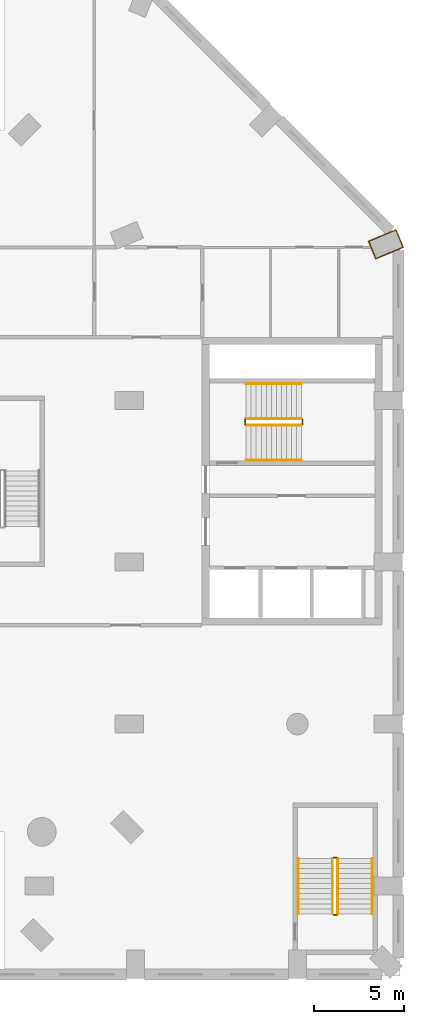
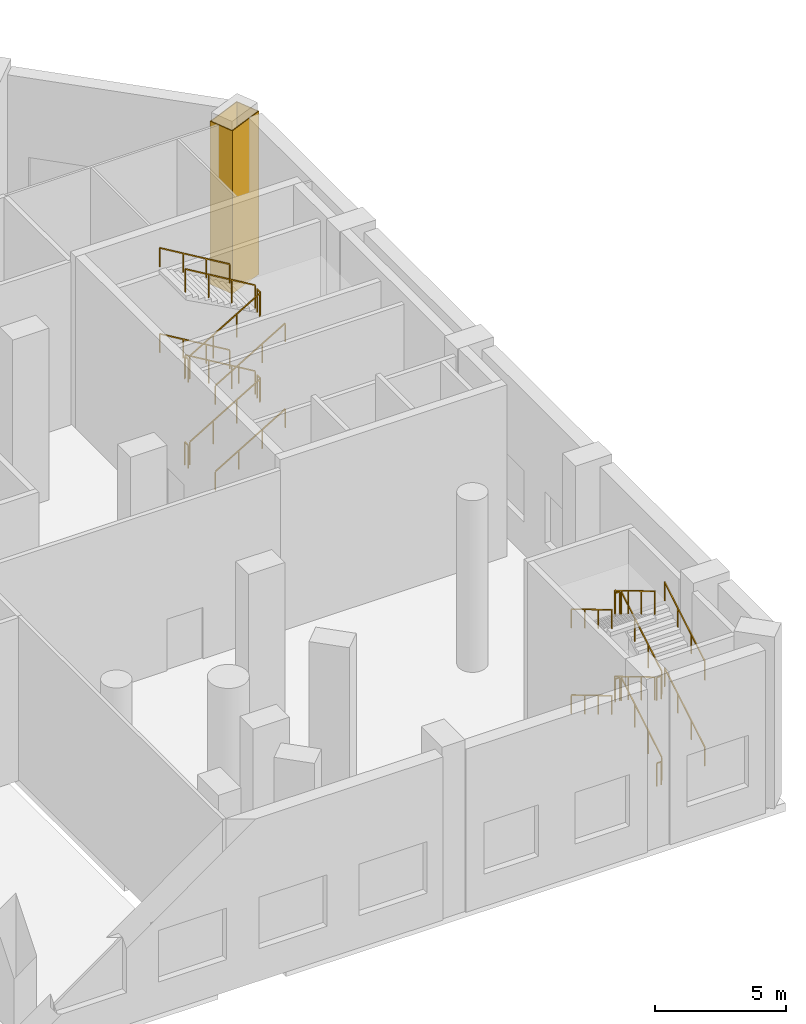
# One storey, part 18 of 18: 24 railings, 1 covering.
"""IFC4 building model written with IfcOpenShell, lengths in metres."""

from ifc_helpers import new_model, si_unit, direction, frame, origin, origin_2d, place, context, subcontext, project, spatial, polyline, rectangle, outline, extrude, material, layer, layer_set, type_object, element, save


model = new_model("IFC4")

# Units and contexts
model_context = context("Model", 3, precision=1e-05, world=origin(), true_north=direction((0.0, 1.0)))
body_context = subcontext(model_context, "Body", "Model", "MODEL_VIEW")
ifc_project = project(units=[si_unit("LENGTHUNIT", "METRE"), si_unit("AREAUNIT", "SQUARE_METRE"), si_unit("VOLUMEUNIT", "CUBIC_METRE"), si_unit("PLANEANGLEUNIT", "RADIAN"), si_unit("MASSUNIT", "GRAM", prefix="KILO")], contexts=[model_context])

# Site, building, storey
site_placement = place(None, origin())
site = spatial("IfcSite", under=ifc_project, at=site_placement, CompositionType="ELEMENT")
building_placement = place(site_placement, origin())
building = spatial("IfcBuilding", under=site, at=building_placement, Name="Cypress Arch Tower", CompositionType="ELEMENT")
storey_placement = place(building_placement, frame((0.0, 0.0, 36.0)))
storey = spatial("IfcBuildingStorey", under=building, at=storey_placement, Name="L04", CompositionType="ELEMENT", Elevation=36.0)

# Covering
ifc_material_1 = material(Name="Painted plasterboard column casing")
ifc_layer = layer(ifc_material_1, 0.0400390625)
ifc_layer_set = layer_set([ifc_layer], Name="Column casing CK40")
covering_type = type_object("IfcCoveringType", Name="Column casing CK40", PredefinedType="CLADDING", material=ifc_layer_set)
covering_placement = place(storey_placement, origin())
element("IfcCovering", 1, at=covering_placement, inside=storey, type_object=covering_type, Name="Column casing L04 CP14", PredefinedType="CLADDING", context=body_context, shape_type="SweptSolid", body=[
    extrude(outline(polyline([(39.2021484375, 12.999267578125), (37.650146484375, 12.3564453125), (37.23681640625, 13.354248046875), (38.7890625, 13.9970703125), (39.2021484375, 12.999267578125)]), holes=[polyline([(39.14990234375, 13.02099609375), (38.767333984375, 13.94482421875), (37.2890625, 13.33251953125), (37.671875, 12.40869140625), (39.14990234375, 13.02099609375)])]), origin(), (0.0, 0.0, 1.0), 7.597900390625),
])

# Railings
ifc_material_2 = material(Name="Black powder-coated steel square bar 48 mm", Category="steel")
railing_type_1 = type_object("IfcRailingType", Name="Stair handrail HR1", PredefinedType="HANDRAIL", material=ifc_material_2)
railing_1_placement = place(storey_placement, frame((30.449951171875, 1.175048828125, 0.166748046875)))
element("IfcRailing", 2, at=railing_1_placement, inside=storey, type_object=railing_type_1, Name="L04 P3 stair handrail 1", PredefinedType="HANDRAIL", context=body_context, shape_type="SweptSolid", body=[
    extrude(rectangle(XDim=0.048095703125, YDim=0.048095703125, at=origin_2d()), frame((0.0, 0.0, 0.8759765625), z_axis=(0.859308565015, 0.0, 0.511457515432), x_axis=(0.0, 1.0, 0.0)), (0.0, 0.0, 1.0), 3.58447265625),
    extrude(rectangle(XDim=0.0419921875, YDim=0.0419921875, at=origin_2d()), origin(), (0.0, 0.0, 1.0), 0.851806640625),
    extrude(rectangle(XDim=0.0419921875, YDim=0.0419921875, at=origin_2d()), frame((1.026611328125, 0.0, 0.611083984375)), (0.0, 0.0, 1.0), 0.851806640625),
    extrude(rectangle(XDim=0.0419921875, YDim=0.0419921875, at=origin_2d()), frame((2.053466796875, 0.0, 1.22216796875)), (0.0, 0.0, 1.0), 0.851806640625),
    extrude(rectangle(XDim=0.0419921875, YDim=0.0419921875, at=origin_2d()), frame((3.080078125, 0.0, 1.833251953125)), (0.0, 0.0, 1.0), 0.851806640625),
])
railing_2_placement = place(storey_placement, frame((33.530029296875, 5.425048828125, 2.166748046875)))
element("IfcRailing", 3, at=railing_2_placement, inside=storey, type_object=railing_type_1, Name="L04 P3 stair handrail 2", PredefinedType="HANDRAIL", context=body_context, shape_type="SweptSolid", body=[
    extrude(rectangle(XDim=0.048095703125, YDim=0.048095703125, at=origin_2d()), frame((0.0, 0.0, 0.8759765625), z_axis=(-0.859308565015, 0.0, 0.511457515432), x_axis=(0.0, -1.0, 0.0)), (0.0, 0.0, 1.0), 3.58447265625),
    extrude(rectangle(XDim=0.0419921875, YDim=0.0419921875, at=origin_2d()), origin(), (0.0, 0.0, 1.0), 0.851806640625),
    extrude(rectangle(XDim=0.0419921875, YDim=0.0419921875, at=origin_2d()), frame((-1.026611328125, 0.0, 0.611083984375)), (0.0, 0.0, 1.0), 0.851806640625),
    extrude(rectangle(XDim=0.0419921875, YDim=0.0419921875, at=origin_2d()), frame((-2.053466796875, 0.0, 1.22216796875)), (0.0, 0.0, 1.0), 0.851806640625),
    extrude(rectangle(XDim=0.0419921875, YDim=0.0419921875, at=origin_2d()), frame((-3.080078125, 0.0, 1.833251953125)), (0.0, 0.0, 1.0), 0.851806640625),
])
railing_3_placement = place(storey_placement, frame((30.449951171875, 1.175048828125, 4.166748046875)))
element("IfcRailing", 4, at=railing_3_placement, inside=storey, type_object=railing_type_1, Name="L04 P3 stair handrail 3", PredefinedType="HANDRAIL", context=body_context, shape_type="SweptSolid", body=[
    extrude(rectangle(XDim=0.048095703125, YDim=0.048095703125, at=origin_2d()), frame((0.0, 0.0, 0.8759765625), z_axis=(0.859308565015, 0.0, 0.511457515432), x_axis=(0.0, 1.0, 0.0)), (0.0, 0.0, 1.0), 3.58447265625),
    extrude(rectangle(XDim=0.0419921875, YDim=0.0419921875, at=origin_2d()), origin(), (0.0, 0.0, 1.0), 0.851806640625),
    extrude(rectangle(XDim=0.0419921875, YDim=0.0419921875, at=origin_2d()), frame((1.026611328125, 0.0, 0.611083984375)), (0.0, 0.0, 1.0), 0.851806640625),
    extrude(rectangle(XDim=0.0419921875, YDim=0.0419921875, at=origin_2d()), frame((2.053466796875, 0.0, 1.22216796875)), (0.0, 0.0, 1.0), 0.851806640625),
    extrude(rectangle(XDim=0.0419921875, YDim=0.0419921875, at=origin_2d()), frame((3.080078125, 0.0, 1.833251953125)), (0.0, 0.0, 1.0), 0.851806640625),
])
railing_4_placement = place(storey_placement, frame((33.530029296875, 5.425048828125, 6.166748046875)))
element("IfcRailing", 5, at=railing_4_placement, inside=storey, type_object=railing_type_1, Name="L04 P3 stair handrail 4", PredefinedType="HANDRAIL", context=body_context, shape_type="SweptSolid", body=[
    extrude(rectangle(XDim=0.048095703125, YDim=0.048095703125, at=origin_2d()), frame((0.0, 0.0, 0.8759765625), z_axis=(-0.859308565015, 0.0, 0.511457515432), x_axis=(0.0, -1.0, 0.0)), (0.0, 0.0, 1.0), 3.58447265625),
    extrude(rectangle(XDim=0.0419921875, YDim=0.0419921875, at=origin_2d()), origin(), (0.0, 0.0, 1.0), 0.851806640625),
    extrude(rectangle(XDim=0.0419921875, YDim=0.0419921875, at=origin_2d()), frame((-1.026611328125, 0.0, 0.611083984375)), (0.0, 0.0, 1.0), 0.851806640625),
    extrude(rectangle(XDim=0.0419921875, YDim=0.0419921875, at=origin_2d()), frame((-2.053466796875, 0.0, 1.22216796875)), (0.0, 0.0, 1.0), 0.851806640625),
    extrude(rectangle(XDim=0.0419921875, YDim=0.0419921875, at=origin_2d()), frame((-3.080078125, 0.0, 1.833251953125)), (0.0, 0.0, 1.0), 0.851806640625),
])
railing_5_placement = place(storey_placement, frame((37.449951171875, -24.050048828125, 0.166748046875)))
element("IfcRailing", 6, at=railing_5_placement, inside=storey, type_object=railing_type_1, Name="L04 P4 stair handrail 1", PredefinedType="HANDRAIL", context=body_context, shape_type="SweptSolid", body=[
    extrude(rectangle(XDim=0.048095703125, YDim=0.048095703125, at=origin_2d()), frame((0.0, 0.0, 0.8759765625), z_axis=(0.0, 0.859308565015, 0.511457515432), x_axis=(-1.0, 0.0, 0.0)), (0.0, 0.0, 1.0), 3.58447265625),
    extrude(rectangle(XDim=0.0419921875, YDim=0.0419921875, at=origin_2d()), origin(), (0.0, 0.0, 1.0), 0.851806640625),
    extrude(rectangle(XDim=0.0419921875, YDim=0.0419921875, at=origin_2d()), frame((0.0, 1.026611328125, 0.611083984375)), (0.0, 0.0, 1.0), 0.851806640625),
    extrude(rectangle(XDim=0.0419921875, YDim=0.0419921875, at=origin_2d()), frame((0.0, 2.053466796875, 1.22216796875)), (0.0, 0.0, 1.0), 0.851806640625),
    extrude(rectangle(XDim=0.0419921875, YDim=0.0419921875, at=origin_2d()), frame((0.0, 3.080078125, 1.833251953125)), (0.0, 0.0, 1.0), 0.851806640625),
])
railing_6_placement = place(storey_placement, frame((33.35009765625, -20.969970703125, 2.166748046875)))
element("IfcRailing", 7, at=railing_6_placement, inside=storey, type_object=railing_type_1, Name="L04 P4 stair handrail 2", PredefinedType="HANDRAIL", context=body_context, shape_type="SweptSolid", body=[
    extrude(rectangle(XDim=0.048095703125, YDim=0.048095703125, at=origin_2d()), frame((0.0, 0.0, 0.8759765625), z_axis=(0.0, -0.859308565015, 0.511457515432), x_axis=(1.0, 0.0, 0.0)), (0.0, 0.0, 1.0), 3.58447265625),
    extrude(rectangle(XDim=0.0419921875, YDim=0.0419921875, at=origin_2d()), origin(), (0.0, 0.0, 1.0), 0.851806640625),
    extrude(rectangle(XDim=0.0419921875, YDim=0.0419921875, at=origin_2d()), frame((0.0, -1.026611328125, 0.611083984375)), (0.0, 0.0, 1.0), 0.851806640625),
    extrude(rectangle(XDim=0.0419921875, YDim=0.0419921875, at=origin_2d()), frame((0.0, -2.053466796875, 1.22216796875)), (0.0, 0.0, 1.0), 0.851806640625),
    extrude(rectangle(XDim=0.0419921875, YDim=0.0419921875, at=origin_2d()), frame((0.0, -3.080078125, 1.833251953125)), (0.0, 0.0, 1.0), 0.851806640625),
])
railing_7_placement = place(storey_placement, frame((37.449951171875, -24.050048828125, 4.166748046875)))
element("IfcRailing", 8, at=railing_7_placement, inside=storey, type_object=railing_type_1, Name="L04 P4 stair handrail 3", PredefinedType="HANDRAIL", context=body_context, shape_type="SweptSolid", body=[
    extrude(rectangle(XDim=0.048095703125, YDim=0.048095703125, at=origin_2d()), frame((0.0, 0.0, 0.8759765625), z_axis=(0.0, 0.859308565015, 0.511457515432), x_axis=(-1.0, 0.0, 0.0)), (0.0, 0.0, 1.0), 3.58447265625),
    extrude(rectangle(XDim=0.0419921875, YDim=0.0419921875, at=origin_2d()), origin(), (0.0, 0.0, 1.0), 0.851806640625),
    extrude(rectangle(XDim=0.0419921875, YDim=0.0419921875, at=origin_2d()), frame((0.0, 1.026611328125, 0.611083984375)), (0.0, 0.0, 1.0), 0.851806640625),
    extrude(rectangle(XDim=0.0419921875, YDim=0.0419921875, at=origin_2d()), frame((0.0, 2.053466796875, 1.22216796875)), (0.0, 0.0, 1.0), 0.851806640625),
    extrude(rectangle(XDim=0.0419921875, YDim=0.0419921875, at=origin_2d()), frame((0.0, 3.080078125, 1.833251953125)), (0.0, 0.0, 1.0), 0.851806640625),
])
railing_8_placement = place(storey_placement, frame((33.35009765625, -20.969970703125, 6.166748046875)))
element("IfcRailing", 9, at=railing_8_placement, inside=storey, type_object=railing_type_1, Name="L04 P4 stair handrail 4", PredefinedType="HANDRAIL", context=body_context, shape_type="SweptSolid", body=[
    extrude(rectangle(XDim=0.048095703125, YDim=0.048095703125, at=origin_2d()), frame((0.0, 0.0, 0.8759765625), z_axis=(0.0, -0.859308565015, 0.511457515432), x_axis=(1.0, 0.0, 0.0)), (0.0, 0.0, 1.0), 3.58447265625),
    extrude(rectangle(XDim=0.0419921875, YDim=0.0419921875, at=origin_2d()), origin(), (0.0, 0.0, 1.0), 0.851806640625),
    extrude(rectangle(XDim=0.0419921875, YDim=0.0419921875, at=origin_2d()), frame((0.0, -1.026611328125, 0.611083984375)), (0.0, 0.0, 1.0), 0.851806640625),
    extrude(rectangle(XDim=0.0419921875, YDim=0.0419921875, at=origin_2d()), frame((0.0, -2.053466796875, 1.22216796875)), (0.0, 0.0, 1.0), 0.851806640625),
    extrude(rectangle(XDim=0.0419921875, YDim=0.0419921875, at=origin_2d()), frame((0.0, -3.080078125, 1.833251953125)), (0.0, 0.0, 1.0), 0.851806640625),
])
ifc_material_3 = material(Name="Black powder-coated steel balusters", Category="steel")
railing_type_2 = type_object("IfcRailingType", Name="Stair well guard G1", PredefinedType="GUARDRAIL", material=ifc_material_3)
railing_9_placement = place(storey_placement, frame((30.449951171875, 3.125, 0.166748046875)))
element("IfcRailing", 10, at=railing_9_placement, inside=storey, type_object=railing_type_2, Name="L04 P3 stair guard 1", PredefinedType="GUARDRAIL", context=body_context, shape_type="SweptSolid", body=[
    extrude(rectangle(XDim=0.048095703125, YDim=0.048095703125, at=origin_2d()), frame((0.0, 0.0, 1.076171875), z_axis=(0.859308565015, 0.0, 0.511457515432), x_axis=(0.0, 1.0, 0.0)), (0.0, 0.0, 1.0), 3.58447265625),
    extrude(rectangle(XDim=0.0419921875, YDim=0.0419921875, at=origin_2d()), origin(), (0.0, 0.0, 1.0), 1.052001953125),
    extrude(rectangle(XDim=0.0419921875, YDim=0.0419921875, at=origin_2d()), frame((1.026611328125, 0.0, 0.611083984375)), (0.0, 0.0, 1.0), 1.052001953125),
    extrude(rectangle(XDim=0.0419921875, YDim=0.0419921875, at=origin_2d()), frame((2.053466796875, 0.0, 1.22216796875)), (0.0, 0.0, 1.0), 1.052001953125),
    extrude(rectangle(XDim=0.0419921875, YDim=0.0419921875, at=origin_2d()), frame((3.080078125, 0.0, 1.833251953125)), (0.0, 0.0, 1.0), 1.052001953125),
])
railing_10_placement = place(storey_placement, frame((33.580078125, 3.175048828125, 2.0)))
element("IfcRailing", 11, at=railing_10_placement, inside=storey, type_object=railing_type_2, Name="L04 P3 stair guard 2", PredefinedType="GUARDRAIL", context=body_context, shape_type="SweptSolid", body=[
    extrude(rectangle(XDim=0.048095703125, YDim=0.048095703125, at=origin_2d()), frame((0.0, 0.0, 1.076171875), z_axis=(0.0, 1.0, 0.0), x_axis=(-1.0, 0.0, 0.0)), (0.0, 0.0, 1.0), 0.25),
    extrude(rectangle(XDim=0.0419921875, YDim=0.0419921875, at=origin_2d()), origin(), (0.0, 0.0, 1.0), 1.052001953125),
    extrude(rectangle(XDim=0.0419921875, YDim=0.0419921875, at=origin_2d()), frame((0.0, 0.25, 0.0)), (0.0, 0.0, 1.0), 1.052001953125),
])
railing_11_placement = place(storey_placement, frame((33.530029296875, 3.47509765625, 2.166748046875)))
element("IfcRailing", 12, at=railing_11_placement, inside=storey, type_object=railing_type_2, Name="L04 P3 stair guard 3", PredefinedType="GUARDRAIL", context=body_context, shape_type="SweptSolid", body=[
    extrude(rectangle(XDim=0.048095703125, YDim=0.048095703125, at=origin_2d()), frame((0.0, 0.0, 1.076171875), z_axis=(-0.859308565015, 0.0, 0.511457515432), x_axis=(0.0, -1.0, 0.0)), (0.0, 0.0, 1.0), 3.58447265625),
    extrude(rectangle(XDim=0.0419921875, YDim=0.0419921875, at=origin_2d()), origin(), (0.0, 0.0, 1.0), 1.052001953125),
    extrude(rectangle(XDim=0.0419921875, YDim=0.0419921875, at=origin_2d()), frame((-1.026611328125, 0.0, 0.611083984375)), (0.0, 0.0, 1.0), 1.052001953125),
    extrude(rectangle(XDim=0.0419921875, YDim=0.0419921875, at=origin_2d()), frame((-2.053466796875, 0.0, 1.22216796875)), (0.0, 0.0, 1.0), 1.052001953125),
    extrude(rectangle(XDim=0.0419921875, YDim=0.0419921875, at=origin_2d()), frame((-3.080078125, 0.0, 1.833251953125)), (0.0, 0.0, 1.0), 1.052001953125),
])
railing_12_placement = place(storey_placement, frame((30.39990234375, 3.175048828125, 4.0)))
element("IfcRailing", 13, at=railing_12_placement, inside=storey, type_object=railing_type_2, Name="L04 P3 stair guard 4", PredefinedType="GUARDRAIL", context=body_context, shape_type="SweptSolid", body=[
    extrude(rectangle(XDim=0.048095703125, YDim=0.048095703125, at=origin_2d()), frame((0.0, 0.0, 1.076171875), z_axis=(0.0, 1.0, 0.0), x_axis=(-1.0, 0.0, 0.0)), (0.0, 0.0, 1.0), 0.25),
    extrude(rectangle(XDim=0.0419921875, YDim=0.0419921875, at=origin_2d()), origin(), (0.0, 0.0, 1.0), 1.052001953125),
    extrude(rectangle(XDim=0.0419921875, YDim=0.0419921875, at=origin_2d()), frame((0.0, 0.25, 0.0)), (0.0, 0.0, 1.0), 1.052001953125),
])
railing_13_placement = place(storey_placement, frame((30.449951171875, 3.125, 4.166748046875)))
element("IfcRailing", 14, at=railing_13_placement, inside=storey, type_object=railing_type_2, Name="L04 P3 stair guard 5", PredefinedType="GUARDRAIL", context=body_context, shape_type="SweptSolid", body=[
    extrude(rectangle(XDim=0.048095703125, YDim=0.048095703125, at=origin_2d()), frame((0.0, 0.0, 1.076171875), z_axis=(0.859308565015, 0.0, 0.511457515432), x_axis=(0.0, 1.0, 0.0)), (0.0, 0.0, 1.0), 3.58447265625),
    extrude(rectangle(XDim=0.0419921875, YDim=0.0419921875, at=origin_2d()), origin(), (0.0, 0.0, 1.0), 1.052001953125),
    extrude(rectangle(XDim=0.0419921875, YDim=0.0419921875, at=origin_2d()), frame((1.026611328125, 0.0, 0.611083984375)), (0.0, 0.0, 1.0), 1.052001953125),
    extrude(rectangle(XDim=0.0419921875, YDim=0.0419921875, at=origin_2d()), frame((2.053466796875, 0.0, 1.22216796875)), (0.0, 0.0, 1.0), 1.052001953125),
    extrude(rectangle(XDim=0.0419921875, YDim=0.0419921875, at=origin_2d()), frame((3.080078125, 0.0, 1.833251953125)), (0.0, 0.0, 1.0), 1.052001953125),
])
railing_14_placement = place(storey_placement, frame((33.580078125, 3.175048828125, 6.0)))
element("IfcRailing", 15, at=railing_14_placement, inside=storey, type_object=railing_type_2, Name="L04 P3 stair guard 6", PredefinedType="GUARDRAIL", context=body_context, shape_type="SweptSolid", body=[
    extrude(rectangle(XDim=0.048095703125, YDim=0.048095703125, at=origin_2d()), frame((0.0, 0.0, 1.076171875), z_axis=(0.0, 1.0, 0.0), x_axis=(-1.0, 0.0, 0.0)), (0.0, 0.0, 1.0), 0.25),
    extrude(rectangle(XDim=0.0419921875, YDim=0.0419921875, at=origin_2d()), origin(), (0.0, 0.0, 1.0), 1.052001953125),
    extrude(rectangle(XDim=0.0419921875, YDim=0.0419921875, at=origin_2d()), frame((0.0, 0.25, 0.0)), (0.0, 0.0, 1.0), 1.052001953125),
])
railing_15_placement = place(storey_placement, frame((33.530029296875, 3.47509765625, 6.166748046875)))
element("IfcRailing", 16, at=railing_15_placement, inside=storey, type_object=railing_type_2, Name="L04 P3 stair guard 7", PredefinedType="GUARDRAIL", context=body_context, shape_type="SweptSolid", body=[
    extrude(rectangle(XDim=0.048095703125, YDim=0.048095703125, at=origin_2d()), frame((0.0, 0.0, 1.076171875), z_axis=(-0.859308565015, 0.0, 0.511457515432), x_axis=(0.0, -1.0, 0.0)), (0.0, 0.0, 1.0), 3.58447265625),
    extrude(rectangle(XDim=0.0419921875, YDim=0.0419921875, at=origin_2d()), origin(), (0.0, 0.0, 1.0), 1.052001953125),
    extrude(rectangle(XDim=0.0419921875, YDim=0.0419921875, at=origin_2d()), frame((-1.026611328125, 0.0, 0.611083984375)), (0.0, 0.0, 1.0), 1.052001953125),
    extrude(rectangle(XDim=0.0419921875, YDim=0.0419921875, at=origin_2d()), frame((-2.053466796875, 0.0, 1.22216796875)), (0.0, 0.0, 1.0), 1.052001953125),
    extrude(rectangle(XDim=0.0419921875, YDim=0.0419921875, at=origin_2d()), frame((-3.080078125, 0.0, 1.833251953125)), (0.0, 0.0, 1.0), 1.052001953125),
])
railing_16_placement = place(storey_placement, frame((30.39990234375, 3.175048828125, 0.0)))
element("IfcRailing", 17, at=railing_16_placement, inside=storey, type_object=railing_type_2, Name="L04 P3 stair guard 8", PredefinedType="GUARDRAIL", context=body_context, shape_type="SweptSolid", body=[
    extrude(rectangle(XDim=0.048095703125, YDim=0.048095703125, at=origin_2d()), frame((0.0, 0.0, 1.076171875), z_axis=(0.0, 1.0, 0.0), x_axis=(-1.0, 0.0, 0.0)), (0.0, 0.0, 1.0), 0.25),
    extrude(rectangle(XDim=0.0419921875, YDim=0.0419921875, at=origin_2d()), origin(), (0.0, 0.0, 1.0), 1.052001953125),
    extrude(rectangle(XDim=0.0419921875, YDim=0.0419921875, at=origin_2d()), frame((0.0, 0.25, 0.0)), (0.0, 0.0, 1.0), 1.052001953125),
])
railing_17_placement = place(storey_placement, frame((35.550048828125, -24.050048828125, 0.166748046875)))
element("IfcRailing", 18, at=railing_17_placement, inside=storey, type_object=railing_type_2, Name="L04 P4 stair guard 1", PredefinedType="GUARDRAIL", context=body_context, shape_type="SweptSolid", body=[
    extrude(rectangle(XDim=0.048095703125, YDim=0.048095703125, at=origin_2d()), frame((0.0, 0.0, 1.076171875), z_axis=(0.0, 0.859308565015, 0.511457515432), x_axis=(-1.0, 0.0, 0.0)), (0.0, 0.0, 1.0), 3.58447265625),
    extrude(rectangle(XDim=0.0419921875, YDim=0.0419921875, at=origin_2d()), origin(), (0.0, 0.0, 1.0), 1.052001953125),
    extrude(rectangle(XDim=0.0419921875, YDim=0.0419921875, at=origin_2d()), frame((0.0, 1.026611328125, 0.611083984375)), (0.0, 0.0, 1.0), 1.052001953125),
    extrude(rectangle(XDim=0.0419921875, YDim=0.0419921875, at=origin_2d()), frame((0.0, 2.053466796875, 1.22216796875)), (0.0, 0.0, 1.0), 1.052001953125),
    extrude(rectangle(XDim=0.0419921875, YDim=0.0419921875, at=origin_2d()), frame((0.0, 3.080078125, 1.833251953125)), (0.0, 0.0, 1.0), 1.052001953125),
])
railing_18_placement = place(storey_placement, frame((35.5, -20.919921875, 2.0)))
element("IfcRailing", 19, at=railing_18_placement, inside=storey, type_object=railing_type_2, Name="L04 P4 stair guard 2", PredefinedType="GUARDRAIL", context=body_context, shape_type="SweptSolid", body=[
    extrude(rectangle(XDim=0.048095703125, YDim=0.048095703125, at=origin_2d()), frame((0.0, 0.0, 1.076171875), z_axis=(-1.0, 0.0, 0.0), x_axis=(0.0, -1.0, 0.0)), (0.0, 0.0, 1.0), 0.199951171875),
    extrude(rectangle(XDim=0.0419921875, YDim=0.0419921875, at=origin_2d()), origin(), (0.0, 0.0, 1.0), 1.052001953125),
    extrude(rectangle(XDim=0.0419921875, YDim=0.0419921875, at=origin_2d()), frame((-0.199951171875, 0.0, 0.0)), (0.0, 0.0, 1.0), 1.052001953125),
])
railing_19_placement = place(storey_placement, frame((35.25, -20.969970703125, 2.166748046875)))
element("IfcRailing", 20, at=railing_19_placement, inside=storey, type_object=railing_type_2, Name="L04 P4 stair guard 3", PredefinedType="GUARDRAIL", context=body_context, shape_type="SweptSolid", body=[
    extrude(rectangle(XDim=0.048095703125, YDim=0.048095703125, at=origin_2d()), frame((0.0, 0.0, 1.076171875), z_axis=(0.0, -0.859308565015, 0.511457515432), x_axis=(1.0, 0.0, 0.0)), (0.0, 0.0, 1.0), 3.58447265625),
    extrude(rectangle(XDim=0.0419921875, YDim=0.0419921875, at=origin_2d()), origin(), (0.0, 0.0, 1.0), 1.052001953125),
    extrude(rectangle(XDim=0.0419921875, YDim=0.0419921875, at=origin_2d()), frame((0.0, -1.026611328125, 0.611083984375)), (0.0, 0.0, 1.0), 1.052001953125),
    extrude(rectangle(XDim=0.0419921875, YDim=0.0419921875, at=origin_2d()), frame((0.0, -2.053466796875, 1.22216796875)), (0.0, 0.0, 1.0), 1.052001953125),
    extrude(rectangle(XDim=0.0419921875, YDim=0.0419921875, at=origin_2d()), frame((0.0, -3.080078125, 1.833251953125)), (0.0, 0.0, 1.0), 1.052001953125),
])
railing_20_placement = place(storey_placement, frame((35.5, -24.10009765625, 4.0)))
element("IfcRailing", 21, at=railing_20_placement, inside=storey, type_object=railing_type_2, Name="L04 P4 stair guard 4", PredefinedType="GUARDRAIL", context=body_context, shape_type="SweptSolid", body=[
    extrude(rectangle(XDim=0.048095703125, YDim=0.048095703125, at=origin_2d()), frame((0.0, 0.0, 1.076171875), z_axis=(-1.0, 0.0, 0.0), x_axis=(0.0, -1.0, 0.0)), (0.0, 0.0, 1.0), 0.199951171875),
    extrude(rectangle(XDim=0.0419921875, YDim=0.0419921875, at=origin_2d()), origin(), (0.0, 0.0, 1.0), 1.052001953125),
    extrude(rectangle(XDim=0.0419921875, YDim=0.0419921875, at=origin_2d()), frame((-0.199951171875, 0.0, 0.0)), (0.0, 0.0, 1.0), 1.052001953125),
])
railing_21_placement = place(storey_placement, frame((35.550048828125, -24.050048828125, 4.166748046875)))
element("IfcRailing", 22, at=railing_21_placement, inside=storey, type_object=railing_type_2, Name="L04 P4 stair guard 5", PredefinedType="GUARDRAIL", context=body_context, shape_type="SweptSolid", body=[
    extrude(rectangle(XDim=0.048095703125, YDim=0.048095703125, at=origin_2d()), frame((0.0, 0.0, 1.076171875), z_axis=(0.0, 0.859308565015, 0.511457515432), x_axis=(-1.0, 0.0, 0.0)), (0.0, 0.0, 1.0), 3.58447265625),
    extrude(rectangle(XDim=0.0419921875, YDim=0.0419921875, at=origin_2d()), origin(), (0.0, 0.0, 1.0), 1.052001953125),
    extrude(rectangle(XDim=0.0419921875, YDim=0.0419921875, at=origin_2d()), frame((0.0, 1.026611328125, 0.611083984375)), (0.0, 0.0, 1.0), 1.052001953125),
    extrude(rectangle(XDim=0.0419921875, YDim=0.0419921875, at=origin_2d()), frame((0.0, 2.053466796875, 1.22216796875)), (0.0, 0.0, 1.0), 1.052001953125),
    extrude(rectangle(XDim=0.0419921875, YDim=0.0419921875, at=origin_2d()), frame((0.0, 3.080078125, 1.833251953125)), (0.0, 0.0, 1.0), 1.052001953125),
])
railing_22_placement = place(storey_placement, frame((35.5, -20.919921875, 6.0)))
element("IfcRailing", 23, at=railing_22_placement, inside=storey, type_object=railing_type_2, Name="L04 P4 stair guard 6", PredefinedType="GUARDRAIL", context=body_context, shape_type="SweptSolid", body=[
    extrude(rectangle(XDim=0.048095703125, YDim=0.048095703125, at=origin_2d()), frame((0.0, 0.0, 1.076171875), z_axis=(-1.0, 0.0, 0.0), x_axis=(0.0, -1.0, 0.0)), (0.0, 0.0, 1.0), 0.199951171875),
    extrude(rectangle(XDim=0.0419921875, YDim=0.0419921875, at=origin_2d()), origin(), (0.0, 0.0, 1.0), 1.052001953125),
    extrude(rectangle(XDim=0.0419921875, YDim=0.0419921875, at=origin_2d()), frame((-0.199951171875, 0.0, 0.0)), (0.0, 0.0, 1.0), 1.052001953125),
])
railing_23_placement = place(storey_placement, frame((35.25, -20.969970703125, 6.166748046875)))
element("IfcRailing", 24, at=railing_23_placement, inside=storey, type_object=railing_type_2, Name="L04 P4 stair guard 7", PredefinedType="GUARDRAIL", context=body_context, shape_type="SweptSolid", body=[
    extrude(rectangle(XDim=0.048095703125, YDim=0.048095703125, at=origin_2d()), frame((0.0, 0.0, 1.076171875), z_axis=(0.0, -0.859308565015, 0.511457515432), x_axis=(1.0, 0.0, 0.0)), (0.0, 0.0, 1.0), 3.58447265625),
    extrude(rectangle(XDim=0.0419921875, YDim=0.0419921875, at=origin_2d()), origin(), (0.0, 0.0, 1.0), 1.052001953125),
    extrude(rectangle(XDim=0.0419921875, YDim=0.0419921875, at=origin_2d()), frame((0.0, -1.026611328125, 0.611083984375)), (0.0, 0.0, 1.0), 1.052001953125),
    extrude(rectangle(XDim=0.0419921875, YDim=0.0419921875, at=origin_2d()), frame((0.0, -2.053466796875, 1.22216796875)), (0.0, 0.0, 1.0), 1.052001953125),
    extrude(rectangle(XDim=0.0419921875, YDim=0.0419921875, at=origin_2d()), frame((0.0, -3.080078125, 1.833251953125)), (0.0, 0.0, 1.0), 1.052001953125),
])
railing_24_placement = place(storey_placement, frame((35.5, -24.10009765625, 0.0)))
element("IfcRailing", 25, at=railing_24_placement, inside=storey, type_object=railing_type_2, Name="L04 P4 stair guard 8", PredefinedType="GUARDRAIL", context=body_context, shape_type="SweptSolid", body=[
    extrude(rectangle(XDim=0.048095703125, YDim=0.048095703125, at=origin_2d()), frame((0.0, 0.0, 1.076171875), z_axis=(-1.0, 0.0, 0.0), x_axis=(0.0, -1.0, 0.0)), (0.0, 0.0, 1.0), 0.199951171875),
    extrude(rectangle(XDim=0.0419921875, YDim=0.0419921875, at=origin_2d()), origin(), (0.0, 0.0, 1.0), 1.052001953125),
    extrude(rectangle(XDim=0.0419921875, YDim=0.0419921875, at=origin_2d()), frame((-0.199951171875, 0.0, 0.0)), (0.0, 0.0, 1.0), 1.052001953125),
])

save(model, "model.ifc")
